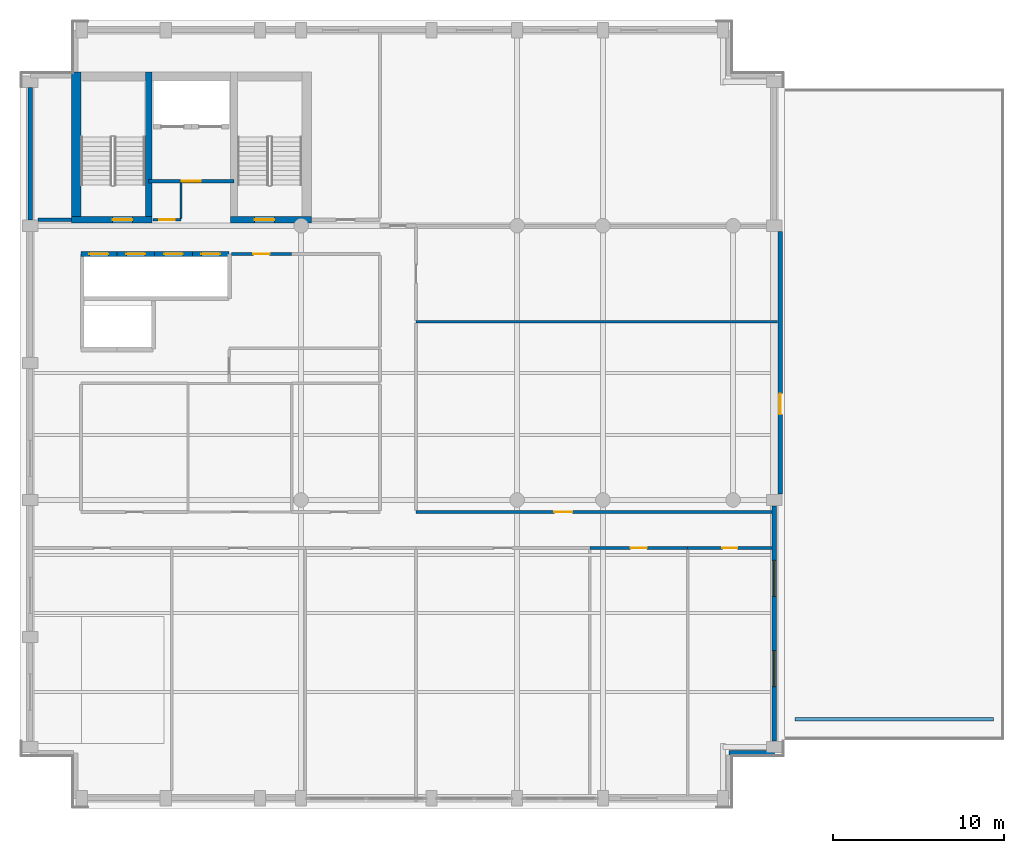
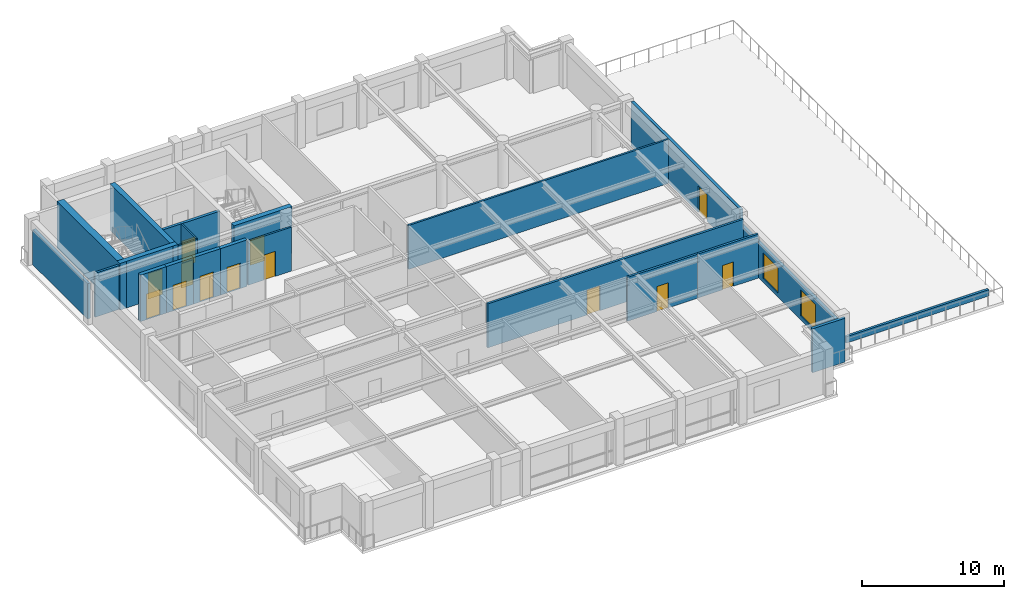
# One storey, part 5 of 9: 22 walls, 13 doors, 2 windows, 15 openings.
"""IFC4 building model written with IfcOpenShell, lengths in metres."""

from ifc_helpers import new_model, si_unit, direction, frame, frame_2d, origin, place, context, subcontext, project, spatial, rectangle, extrude, material, layer, layer_set, type_object, element, fill, save


model = new_model("IFC4")

# Units and contexts
model_context = context("Model", 3, precision=1e-05, world=origin(), true_north=direction((0.0, 1.0)))
body_context = subcontext(model_context, "Body", "Model", "MODEL_VIEW")
ifc_project = project(units=[si_unit("LENGTHUNIT", "METRE"), si_unit("AREAUNIT", "SQUARE_METRE"), si_unit("VOLUMEUNIT", "CUBIC_METRE"), si_unit("PLANEANGLEUNIT", "RADIAN"), si_unit("MASSUNIT", "GRAM", prefix="KILO")], contexts=[model_context])

# Site, building, storey
site_placement = place(None, origin())
site = spatial("IfcSite", under=ifc_project, at=site_placement, CompositionType="ELEMENT")
building_placement = place(site_placement, origin())
building = spatial("IfcBuilding", under=site, at=building_placement, Name="Sulina Concourse Tower", CompositionType="ELEMENT")
storey_placement = place(building_placement, frame((0.0, 0.0, 289.0)))
storey = spatial("IfcBuildingStorey", under=building, at=storey_placement, Name="L70", CompositionType="ELEMENT", Elevation=289.0)

# Wall, opening, door
ifc_material_1 = material(Name="Concrete C50/60", Category="concrete")
ifc_layer_1 = layer(ifc_material_1, 0.300048828125)
ifc_layer_set_1 = layer_set([ifc_layer_1], Name="Concrete C50/60")
wall_type_1 = type_object("IfcWallType", Name="Core Lift Hoistway Wall 300mm", PredefinedType="SOLIDWALL", material=ifc_layer_set_1)
wall_1_placement = place(storey_placement, frame((3.550048828125, 32.35009765625, 0.0), z_axis=(0.0, 0.0, 1.0), x_axis=(1.0, 0.0, 0.0)))
wall_1 = element("IfcWall", 1, at=wall_1_placement, inside=storey, type_object=wall_type_1, Name="L70 hoistway enclosure wall LP-09", PredefinedType="SOLIDWALL", context=body_context, shape_type="SweptSolid", body=[
    extrude(rectangle(XDim=2.099853515625, YDim=0.300048828125, at=frame_2d((1.0498046875, 0.0))), origin(), (0.0, 0.0, 1.0), 4.0),
])
opening_1_placement = place(wall_1_placement, frame((0.5, 0.0, 0.0)))
opening_1 = element("IfcOpeningElement", 2, at=opening_1_placement, cuts=wall_1, Name="Opening LD-01", PredefinedType="OPENING", context=body_context, shape_type="SweptSolid", body=[
    extrude(rectangle(XDim=1.10009765625, YDim=2.199951171875, at=frame_2d((0.550048828125, 1.10009765625))), frame((0.0, 0.159912109375, 0.0), z_axis=(0.0, -1.0, 0.0), x_axis=(1.0, 0.0, 0.0)), (0.0, 0.0, 1.0), 0.320068359375),
])
ifc_material_2 = material(Name="Stainless steel lift landing door", Category="steel")
ifc_layer_2 = layer(ifc_material_2, 0.050048828125)
ifc_layer_set_2 = layer_set([ifc_layer_2], Name="Stainless steel lift landing door")
door_type_1 = type_object("IfcDoorType", Name="Passenger Lift Sliding Landing Door 1100x2200", OperationType="SLIDING_TO_LEFT", PredefinedType="DOOR", material=ifc_layer_set_2)
door_1_placement = place(opening_1_placement, origin())
door_1 = element("IfcDoor", 3, at=door_1_placement, inside=storey, type_object=door_type_1, Name="L70 lift landing sliding door LP-09", OperationType="SLIDING_TO_LEFT", OverallHeight=2.199951171875, OverallWidth=1.10009765625, PredefinedType="DOOR", context=body_context, shape_type="SweptSolid", body=[
    extrude(rectangle(XDim=1.10009765625, YDim=2.199951171875, at=frame_2d((0.550048828125, 1.10009765625))), frame((0.0, 0.02490234375, 0.0), z_axis=(0.0, -1.0, 0.0), x_axis=(1.0, 0.0, 0.0)), (0.0, 0.0, 1.0), 0.050048828125),
])
fill(opening_1, door_1)

wall_2_placement = place(storey_placement, frame((5.64990234375, 32.35009765625, 0.0), z_axis=(0.0, 0.0, 1.0), x_axis=(1.0, 0.0, 0.0)))
wall_2 = element("IfcWall", 4, at=wall_2_placement, inside=storey, type_object=wall_type_1, Name="L70 hoistway enclosure wall LP-10", PredefinedType="SOLIDWALL", context=body_context, shape_type="SweptSolid", body=[
    extrude(rectangle(XDim=2.2001953125, YDim=0.300048828125, at=frame_2d((1.10009765625, 0.0))), origin(), (0.0, 0.0, 1.0), 4.0),
])
opening_2_placement = place(wall_2_placement, frame((0.550048828125, 0.0, 0.0)))
opening_2 = element("IfcOpeningElement", 5, at=opening_2_placement, cuts=wall_2, Name="Opening LD-01", PredefinedType="OPENING", context=body_context, shape_type="SweptSolid", body=[
    extrude(rectangle(XDim=1.10009765625, YDim=2.199951171875, at=frame_2d((0.550048828125, 1.10009765625))), frame((0.0, 0.159912109375, 0.0), z_axis=(0.0, -1.0, 0.0), x_axis=(1.0, 0.0, 0.0)), (0.0, 0.0, 1.0), 0.320068359375),
])
door_2_placement = place(opening_2_placement, origin())
door_2 = element("IfcDoor", 6, at=door_2_placement, inside=storey, type_object=door_type_1, Name="L70 lift landing sliding door LP-10", OperationType="SLIDING_TO_RIGHT", OverallHeight=2.199951171875, OverallWidth=1.10009765625, PredefinedType="DOOR", context=body_context, shape_type="SweptSolid", body=[
    extrude(rectangle(XDim=1.10009765625, YDim=2.199951171875, at=frame_2d((0.550048828125, 1.10009765625))), frame((0.0, 0.02490234375, 0.0), z_axis=(0.0, -1.0, 0.0), x_axis=(1.0, 0.0, 0.0)), (0.0, 0.0, 1.0), 0.050048828125),
])
fill(opening_2, door_2)

wall_3_placement = place(storey_placement, frame((7.85009765625, 32.35009765625, 0.0), z_axis=(0.0, 0.0, 1.0), x_axis=(1.0, 0.0, 0.0)))
wall_3 = element("IfcWall", 7, at=wall_3_placement, inside=storey, type_object=wall_type_1, Name="L70 hoistway enclosure wall LP-11", PredefinedType="SOLIDWALL", context=body_context, shape_type="SweptSolid", body=[
    extrude(rectangle(XDim=2.199951171875, YDim=0.300048828125, at=frame_2d((1.10009765625, 0.0))), origin(), (0.0, 0.0, 1.0), 4.0),
])
opening_3_placement = place(wall_3_placement, frame((0.550048828125, 0.0, 0.0)))
opening_3 = element("IfcOpeningElement", 8, at=opening_3_placement, cuts=wall_3, Name="Opening LD-01", PredefinedType="OPENING", context=body_context, shape_type="SweptSolid", body=[
    extrude(rectangle(XDim=1.10009765625, YDim=2.199951171875, at=frame_2d((0.550048828125, 1.10009765625))), frame((0.0, 0.159912109375, 0.0), z_axis=(0.0, -1.0, 0.0), x_axis=(1.0, 0.0, 0.0)), (0.0, 0.0, 1.0), 0.320068359375),
])
door_3_placement = place(opening_3_placement, origin())
door_3 = element("IfcDoor", 9, at=door_3_placement, inside=storey, type_object=door_type_1, Name="L70 lift landing sliding door LP-11", OperationType="SLIDING_TO_LEFT", OverallHeight=2.199951171875, OverallWidth=1.10009765625, PredefinedType="DOOR", context=body_context, shape_type="SweptSolid", body=[
    extrude(rectangle(XDim=1.10009765625, YDim=2.199951171875, at=frame_2d((0.550048828125, 1.10009765625))), frame((0.0, 0.02490234375, 0.0), z_axis=(0.0, -1.0, 0.0), x_axis=(1.0, 0.0, 0.0)), (0.0, 0.0, 1.0), 0.050048828125),
])
fill(opening_3, door_3)

wall_4_placement = place(storey_placement, frame((10.050048828125, 32.35009765625, 0.0), z_axis=(0.0, 0.0, 1.0), x_axis=(1.0, 0.0, 0.0)))
wall_4 = element("IfcWall", 10, at=wall_4_placement, inside=storey, type_object=wall_type_1, Name="L70 hoistway enclosure wall LP-12", PredefinedType="SOLIDWALL", context=body_context, shape_type="SweptSolid", body=[
    extrude(rectangle(XDim=2.14990234375, YDim=0.300048828125, at=frame_2d((1.074951171875, 0.0))), origin(), (0.0, 0.0, 1.0), 4.0),
])
opening_4_placement = place(wall_4_placement, frame((0.52490234375, 0.0, 0.0)))
opening_4 = element("IfcOpeningElement", 11, at=opening_4_placement, cuts=wall_4, Name="Opening LD-01", PredefinedType="OPENING", context=body_context, shape_type="SweptSolid", body=[
    extrude(rectangle(XDim=1.10009765625, YDim=2.199951171875, at=frame_2d((0.550048828125, 1.10009765625))), frame((0.0, 0.159912109375, 0.0), z_axis=(0.0, -1.0, 0.0), x_axis=(1.0, 0.0, 0.0)), (0.0, 0.0, 1.0), 0.320068359375),
])
door_4_placement = place(opening_4_placement, origin())
door_4 = element("IfcDoor", 12, at=door_4_placement, inside=storey, type_object=door_type_1, Name="L70 lift landing sliding door LP-12", OperationType="SLIDING_TO_RIGHT", OverallHeight=2.199951171875, OverallWidth=1.10009765625, PredefinedType="DOOR", context=body_context, shape_type="SweptSolid", body=[
    extrude(rectangle(XDim=1.10009765625, YDim=2.199951171875, at=frame_2d((0.550048828125, 1.10009765625))), frame((0.0, 0.02490234375, 0.0), z_axis=(0.0, -1.0, 0.0), x_axis=(1.0, 0.0, 0.0)), (0.0, 0.0, 1.0), 0.050048828125),
])
fill(opening_4, door_4)

# Wall
ifc_material_3 = material(Name="Precast concrete C50/60", Category="concrete")
ifc_layer_3 = layer(ifc_material_3, 0.239990234375)
ifc_layer_set_3 = layer_set([ifc_layer_3], Name="Precast concrete C50/60")
wall_type_2 = type_object("IfcWallType", Name="Crown Precast Masonry-Frame Facade Wall 240mm", PredefinedType="SOLIDWALL", material=ifc_layer_set_3)
wall_5_placement = place(storey_placement, frame((0.60009765625, 34.344970703125, 0.0), z_axis=(0.0, 0.0, 1.0), x_axis=(0.0, 1.0, 0.0)))
element("IfcWall", 13, at=wall_5_placement, inside=storey, type_object=wall_type_2, Name="L70 exterior precast wall W5", PredefinedType="SOLIDWALL", context=body_context, shape_type="SweptSolid", body=[
    extrude(rectangle(XDim=7.7099609375, YDim=0.239990234375, at=frame_2d((3.85498046875, 0.0))), origin(), (0.0, 0.0, 1.0), 3.02490234375),
])

# Wall, openings, windows
wall_6_placement = place(storey_placement, frame((44.0, 17.655029296875, 0.0), z_axis=(0.0, 0.0, 1.0), x_axis=(0.0, -1.0, 0.0)))
wall_6 = element("IfcWall", 14, at=wall_6_placement, inside=storey, type_object=wall_type_2, Name="L70 exterior precast wall E1", PredefinedType="SOLIDWALL", context=body_context, shape_type="SweptSolid", body=[
    extrude(rectangle(XDim=13.7099609375, YDim=0.239990234375, at=frame_2d((6.85498046875, 0.0))), origin(), (0.0, 0.0, 1.0), 3.02490234375),
])
opening_5_placement = place(wall_6_placement, frame((3.169921875, 0.0, 0.35009765625)))
opening_5 = element("IfcOpeningElement", 15, at=opening_5_placement, cuts=wall_6, Name="Opening WN-33", PredefinedType="OPENING", context=body_context, shape_type="SweptSolid", body=[
    extrude(rectangle(XDim=2.10009765625, YDim=2.199951171875, at=frame_2d((1.050048828125, 1.10009765625))), frame((0.0, 0.1298828125, 0.0), z_axis=(0.0, -1.0, 0.0), x_axis=(1.0, 0.0, 0.0)), (0.0, 0.0, 1.0), 0.260009765625),
])
opening_6_placement = place(wall_6_placement, frame((8.43994140625, 0.0, 0.35009765625)))
opening_6 = element("IfcOpeningElement", 16, at=opening_6_placement, cuts=wall_6, Name="Opening WN-33", PredefinedType="OPENING", context=body_context, shape_type="SweptSolid", body=[
    extrude(rectangle(XDim=2.10009765625, YDim=2.199951171875, at=frame_2d((1.050048828125, 1.10009765625))), frame((0.0, 0.1298828125, 0.0), z_axis=(0.0, -1.0, 0.0), x_axis=(1.0, 0.0, 0.0)), (0.0, 0.0, 1.0), 0.260009765625),
])
ifc_material_4 = material(Name="Low-E solar double glazing in bronze aluminium", Category="aluminium")
window_type = type_object("IfcWindowType", Name="Punched Masonry-Frame Window 2100x2200", PartitioningType="DOUBLE_PANEL_VERTICAL", PredefinedType="WINDOW", material=ifc_material_4)
window_1_placement = place(opening_5_placement, origin())
window_1 = element("IfcWindow", 17, at=window_1_placement, inside=storey, type_object=window_type, Name="L70 punched window E1-1", OverallHeight=2.199951171875, OverallWidth=2.10009765625, PartitioningType="SINGLE_PANEL", PredefinedType="WINDOW", context=body_context, shape_type="SweptSolid", body=[
    extrude(rectangle(XDim=2.10009765625, YDim=2.199951171875, at=frame_2d((1.050048828125, 1.10009765625))), frame((0.0, 0.030029296875, 0.0), z_axis=(0.0, -1.0, 0.0), x_axis=(1.0, 0.0, 0.0)), (0.0, 0.0, 1.0), 0.06005859375),
])
fill(opening_5, window_1)
window_2_placement = place(opening_6_placement, origin())
window_2 = element("IfcWindow", 18, at=window_2_placement, inside=storey, type_object=window_type, Name="L70 punched window E1-2", OverallHeight=2.199951171875, OverallWidth=2.10009765625, PartitioningType="SINGLE_PANEL", PredefinedType="WINDOW", context=body_context, shape_type="SweptSolid", body=[
    extrude(rectangle(XDim=2.10009765625, YDim=2.199951171875, at=frame_2d((1.050048828125, 1.10009765625))), frame((0.0, 0.030029296875, 0.0), z_axis=(0.0, -1.0, 0.0), x_axis=(1.0, 0.0, 0.0)), (0.0, 0.0, 1.0), 0.06005859375),
])
fill(opening_6, window_2)

# Wall, opening, door
wall_7_placement = place(storey_placement, frame((44.35009765625, 33.655029296875, 0.0), z_axis=(0.0, 0.0, 1.0), x_axis=(0.0, -1.0, 0.0)))
wall_7 = element("IfcWall", 19, at=wall_7_placement, inside=storey, type_object=wall_type_2, Name="L70 exterior precast wall E2", PredefinedType="SOLIDWALL", context=body_context, shape_type="SweptSolid", body=[
    extrude(rectangle(XDim=15.31005859375, YDim=0.239990234375, at=frame_2d((7.655029296875, 0.0))), origin(), (0.0, 0.0, 1.0), 3.77490234375),
])
opening_7_placement = place(wall_7_placement, frame((9.455078125, 0.0, 0.0)))
opening_7 = element("IfcOpeningElement", 20, at=opening_7_placement, cuts=wall_7, Name="Opening DR-22", PredefinedType="OPENING", context=body_context, shape_type="SweptSolid", body=[
    extrude(rectangle(XDim=1.199951171875, YDim=2.25, at=frame_2d((0.60009765625, 1.125))), frame((0.0, 0.1298828125, 0.0), z_axis=(0.0, -1.0, 0.0), x_axis=(1.0, 0.0, 0.0)), (0.0, 0.0, 1.0), 0.260009765625),
])
ifc_material_5 = material(Name="Anodised bronze aluminium and glazed leaf", Category="aluminium")
ifc_layer_4 = layer(ifc_material_5, 0.054931640625)
ifc_layer_set_4 = layer_set([ifc_layer_4], Name="Anodised bronze aluminium and glazed leaf")
door_type_2 = type_object("IfcDoorType", Name="Planted Terrace & Sky-Deck Door 1200x2250", OperationType="NOTDEFINED", PredefinedType="DOOR", material=ifc_layer_set_4)
door_5_placement = place(opening_7_placement, origin())
door_5 = element("IfcDoor", 21, at=door_5_placement, inside=storey, type_object=door_type_2, Name="L70 exterior door TD-CR", OperationType="SINGLE_SWING_LEFT", OverallHeight=2.25, OverallWidth=1.199951171875, PredefinedType="DOOR", context=body_context, shape_type="SweptSolid", body=[
    extrude(rectangle(XDim=1.199951171875, YDim=2.25, at=frame_2d((0.60009765625, 1.125))), frame((0.0, 0.02490234375, 0.0), z_axis=(0.0, -1.0, 0.0), x_axis=(1.0, 0.0, 0.0)), (0.0, 0.0, 1.0), 0.050048828125),
])
fill(opening_7, door_5)

# Wall
wall_8_placement = place(storey_placement, frame((44.0, 3.2548828125, 0.0), z_axis=(0.0, 0.0, 1.0), x_axis=(-1.0, 0.0, 0.0)))
element("IfcWall", 22, at=wall_8_placement, inside=storey, type_object=wall_type_2, Name="L70 exterior precast wall CSE1", PredefinedType="SOLIDWALL", context=body_context, shape_type="SweptSolid", body=[
    extrude(rectangle(XDim=2.655029296875, YDim=0.239990234375, at=frame_2d((1.32763671875, 0.0))), origin(), (0.0, 0.0, 1.0), 3.77490234375),
])

# Wall, opening, door
ifc_material_6 = material(Name="Gypsum board on steel stud", Category="steel")
ifc_layer_5 = layer(ifc_material_6, 0.219970703125)
ifc_layer_set_5 = layer_set([ifc_layer_5], Name="Gypsum board on steel stud")
wall_type_3 = type_object("IfcWallType", Name="Fire-Rated Lobby & Compartment Wall 220mm", PredefinedType="PARTITIONING", material=ifc_layer_set_5)
wall_9_placement = place(storey_placement, frame((7.510009765625, 36.60009765625, 0.0), z_axis=(0.0, 0.0, 1.0), x_axis=(1.0, 0.0, 0.0)))
wall_9 = element("IfcWall", 23, at=wall_9_placement, inside=storey, type_object=wall_type_3, Name="L70 firefighting lobby south fire wall", PredefinedType="PARTITIONING", context=body_context, shape_type="SweptSolid", body=[
    extrude(rectangle(XDim=4.97998046875, YDim=0.219970703125, at=frame_2d((2.489990234375, 0.0))), origin(), (0.0, 0.0, 1.0), 3.77490234375),
])
opening_8_placement = place(wall_9_placement, frame((1.93994140625, 0.0, 0.0)))
opening_8 = element("IfcOpeningElement", 24, at=opening_8_placement, cuts=wall_9, Name="Opening DR-47", PredefinedType="OPENING", context=body_context, shape_type="SweptSolid", body=[
    extrude(rectangle(XDim=1.10009765625, YDim=2.199951171875, at=frame_2d((0.550048828125, 1.10009765625))), frame((0.0, 0.119873046875, 0.0), z_axis=(0.0, -1.0, 0.0), x_axis=(1.0, 0.0, 0.0)), (0.0, 0.0, 1.0), 0.239990234375),
])
ifc_material_7 = material(Name="Galvanised steel acoustic fire leaf", Category="steel")
ifc_layer_6 = layer(ifc_material_7, 0.054931640625)
ifc_layer_set_6 = layer_set([ifc_layer_6], Name="Galvanised steel acoustic fire leaf")
door_type_3 = type_object("IfcDoorType", Name="Firefighting Lobby Fire Door 1100x2200", OperationType="NOTDEFINED", PredefinedType="DOOR", material=ifc_layer_set_6)
door_6_placement = place(opening_8_placement, origin())
door_6 = element("IfcDoor", 25, at=door_6_placement, inside=storey, type_object=door_type_3, Name="L70 firefighting lobby fire door", OperationType="SINGLE_SWING_LEFT", OverallHeight=2.199951171875, OverallWidth=1.10009765625, PredefinedType="DOOR", context=body_context, shape_type="SweptSolid", body=[
    extrude(rectangle(XDim=1.10009765625, YDim=2.199951171875, at=frame_2d((0.550048828125, 1.10009765625))), frame((0.0, 0.02490234375, 0.0), z_axis=(0.0, -1.0, 0.0), x_axis=(1.0, 0.0, 0.0)), (0.0, 0.0, 1.0), 0.050048828125),
])
fill(opening_8, door_6)

# Wall
ifc_material_8 = material(Name="Gypsum board on steel stud", Category="steel")
ifc_layer_7 = layer(ifc_material_8, 0.14990234375)
ifc_layer_set_7 = layer_set([ifc_layer_7], Name="Gypsum board on steel stud")
wall_type_4 = type_object("IfcWallType", Name="Inter-Tenancy Acoustic Partition 150mm", PredefinedType="PARTITIONING", material=ifc_layer_set_7)
wall_10_placement = place(storey_placement, frame((23.10009765625, 28.39990234375, 0.0), z_axis=(0.0, 0.0, 1.0), x_axis=(1.0, 0.0, 0.0)))
element("IfcWall", 26, at=wall_10_placement, inside=storey, type_object=wall_type_4, Name="L70 interior partition 016", PredefinedType="PARTITIONING", context=body_context, shape_type="SweptSolid", body=[
    extrude(rectangle(XDim=21.099853515625, YDim=0.14990234375, at=frame_2d((10.5498046875, 0.0))), origin(), (0.0, 0.0, 1.0), 3.77490234375),
])

# Wall, opening, door
wall_11_placement = place(storey_placement, frame((12.330078125, 32.35009765625, 0.0), z_axis=(0.0, 0.0, 1.0), x_axis=(1.0, 0.0, 0.0)))
wall_11 = element("IfcWall", 27, at=wall_11_placement, inside=storey, type_object=wall_type_4, Name="L70 interior partition 017", PredefinedType="PARTITIONING", context=body_context, shape_type="SweptSolid", body=[
    extrude(rectangle(XDim=3.52001953125, YDim=0.14990234375, at=frame_2d((1.760009765625, 0.0))), origin(), (0.0, 0.0, 1.0), 3.77490234375),
])
opening_9_placement = place(wall_11_placement, frame((1.284912109375, 0.0, 0.0)))
opening_9 = element("IfcOpeningElement", 28, at=opening_9_placement, cuts=wall_11, Name="Opening DR-19", PredefinedType="OPENING", context=body_context, shape_type="SweptSolid", body=[
    extrude(rectangle(XDim=0.949951171875, YDim=2.14990234375, at=frame_2d((0.47509765625, 1.074951171875))), frame((0.0, 0.0849609375, 0.0), z_axis=(0.0, -1.0, 0.0), x_axis=(1.0, 0.0, 0.0)), (0.0, 0.0, 1.0), 0.169921875),
])
ifc_material_9 = material(Name="Oak-veneered acoustic timber leaf", Category="wood")
ifc_layer_8 = layer(ifc_material_9, 0.050048828125)
ifc_layer_set_8 = layer_set([ifc_layer_8], Name="Oak-veneered acoustic timber leaf")
door_type_4 = type_object("IfcDoorType", Name="Cellular Office & Meeting Door 950x2150", OperationType="NOTDEFINED", PredefinedType="DOOR", material=ifc_layer_set_8)
door_7_placement = place(opening_9_placement, origin())
door_7 = element("IfcDoor", 29, at=door_7_placement, inside=storey, type_object=door_type_4, Name="L70 interior door L70-MR-MRG2", OperationType="SINGLE_SWING_RIGHT", OverallHeight=2.14990234375, OverallWidth=0.949951171875, PredefinedType="DOOR", context=body_context, shape_type="SweptSolid", body=[
    extrude(rectangle(XDim=0.949951171875, YDim=2.14990234375, at=frame_2d((0.47509765625, 1.074951171875))), frame((0.0, 0.02490234375, 0.0), z_axis=(0.0, -1.0, 0.0), x_axis=(1.0, 0.0, 0.0)), (0.0, 0.0, 1.0), 0.050048828125),
])
fill(opening_9, door_7)

# Wall
ifc_material_10 = material(Name="Precast concrete C50/60", Category="concrete")
ifc_layer_9 = layer(ifc_material_10, 0.199951171875)
ifc_layer_set_9 = layer_set([ifc_layer_9], Name="Precast concrete C50/60")
wall_type_5 = type_object("IfcWallType", Name="Landscaped Terrace Planter Wall 200mm", PredefinedType="USERDEFINED", material=ifc_layer_set_9)
wall_12_placement = place(storey_placement, frame((45.199951171875, 5.199951171875, 0.0), z_axis=(0.0, 0.0, 1.0), x_axis=(1.0, 0.0, 0.0)))
element("IfcWall", 30, at=wall_12_placement, inside=storey, type_object=wall_type_5, Name="L70 landscaped terrace planter wall TER-CR1", ObjectType="PLANTER", PredefinedType="USERDEFINED", context=body_context, shape_type="SweptSolid", body=[
    extrude(rectangle(XDim=11.60009765625, YDim=0.199951171875, at=frame_2d((5.800048828125, 0.0))), origin(), (0.0, 0.0, 1.0), 0.550048828125),
])

# Wall, opening, door
ifc_material_11 = material(Name="Gypsum board on steel stud", Category="steel")
ifc_layer_10 = layer(ifc_material_11, 0.179931640625)
ifc_layer_set_10 = layer_set([ifc_layer_10], Name="Gypsum board on steel stud")
wall_type_6 = type_object("IfcWallType", Name="Protected Corridor & Riser Partition 180mm", PredefinedType="PARTITIONING", material=ifc_layer_set_10)
wall_13_placement = place(storey_placement, frame((33.239990234375, 15.199951171875, 0.0), z_axis=(0.0, 0.0, 1.0), x_axis=(1.0, 0.0, 0.0)))
wall_13 = element("IfcWall", 31, at=wall_13_placement, inside=storey, type_object=wall_type_6, Name="L70 interior partition 005", PredefinedType="PARTITIONING", context=body_context, shape_type="SweptSolid", body=[
    extrude(rectangle(XDim=5.699951171875, YDim=0.179931640625, at=frame_2d((2.85009765625, 0.0))), origin(), (0.0, 0.0, 1.0), 3.77490234375),
])
opening_10_placement = place(wall_13_placement, frame((2.375, 0.0, 0.0)))
opening_10 = element("IfcOpeningElement", 32, at=opening_10_placement, cuts=wall_13, Name="Opening DR-19", PredefinedType="OPENING", context=body_context, shape_type="SweptSolid", body=[
    extrude(rectangle(XDim=0.949951171875, YDim=2.14990234375, at=frame_2d((0.47509765625, 1.074951171875))), frame((0.0, 0.099853515625, 0.0), z_axis=(0.0, -1.0, 0.0), x_axis=(1.0, 0.0, 0.0)), (0.0, 0.0, 1.0), 0.199951171875),
])
door_8_placement = place(opening_10_placement, origin())
door_8 = element("IfcDoor", 33, at=door_8_placement, inside=storey, type_object=door_type_4, Name="L70 interior door L70-S04A", OperationType="SINGLE_SWING_RIGHT", OverallHeight=2.14990234375, OverallWidth=0.949951171875, PredefinedType="DOOR", context=body_context, shape_type="SweptSolid", body=[
    extrude(rectangle(XDim=0.949951171875, YDim=2.14990234375, at=frame_2d((0.47509765625, 1.074951171875))), frame((0.0, 0.02490234375, 0.0), z_axis=(0.0, -1.0, 0.0), x_axis=(1.0, 0.0, 0.0)), (0.0, 0.0, 1.0), 0.050048828125),
])
fill(opening_10, door_8)

wall_14_placement = place(storey_placement, frame((38.93994140625, 15.199951171875, 0.0), z_axis=(0.0, 0.0, 1.0), x_axis=(1.0, 0.0, 0.0)))
wall_14 = element("IfcWall", 34, at=wall_14_placement, inside=storey, type_object=wall_type_6, Name="L70 interior partition 006", PredefinedType="PARTITIONING", context=body_context, shape_type="SweptSolid", body=[
    extrude(rectangle(XDim=4.93994140625, YDim=0.179931640625, at=frame_2d((2.469970703125, 0.0))), origin(), (0.0, 0.0, 1.0), 3.77490234375),
])
opening_11_placement = place(wall_14_placement, frame((2.030029296875, 0.0, 0.0)))
opening_11 = element("IfcOpeningElement", 35, at=opening_11_placement, cuts=wall_14, Name="Opening DR-38", PredefinedType="OPENING", context=body_context, shape_type="SweptSolid", body=[
    extrude(rectangle(XDim=0.8798828125, YDim=2.10009765625, at=frame_2d((0.43994140625, 1.050048828125))), frame((0.0, 0.099853515625, 0.0), z_axis=(0.0, -1.0, 0.0), x_axis=(1.0, 0.0, 0.0)), (0.0, 0.0, 1.0), 0.199951171875),
])
ifc_material_12 = material(Name="Galvanised steel acoustic fire leaf", Category="steel")
ifc_layer_11 = layer(ifc_material_12, 0.050048828125)
ifc_layer_set_11 = layer_set([ifc_layer_11], Name="Galvanised steel acoustic fire leaf")
door_type_5 = type_object("IfcDoorType", Name="Service Riser Fire Door 880x2100", OperationType="NOTDEFINED", PredefinedType="DOOR", material=ifc_layer_set_11)
door_9_placement = place(opening_11_placement, origin())
door_9 = element("IfcDoor", 36, at=door_9_placement, inside=storey, type_object=door_type_5, Name="L70 interior door L70-S04B", OperationType="SINGLE_SWING_LEFT", OverallHeight=2.10009765625, OverallWidth=0.8798828125, PredefinedType="DOOR", context=body_context, shape_type="SweptSolid", body=[
    extrude(rectangle(XDim=0.8798828125, YDim=2.10009765625, at=frame_2d((0.43994140625, 1.050048828125))), frame((0.0, 0.02490234375, 0.0), z_axis=(0.0, -1.0, 0.0), x_axis=(1.0, 0.0, 0.0)), (0.0, 0.0, 1.0), 0.050048828125),
])
fill(opening_11, door_9)

wall_15_placement = place(storey_placement, frame((23.10009765625, 17.300048828125, 0.0), z_axis=(0.0, 0.0, 1.0), x_axis=(1.0, 0.0, 0.0)))
wall_15 = element("IfcWall", 37, at=wall_15_placement, inside=storey, type_object=wall_type_6, Name="L70 interior partition 010", PredefinedType="PARTITIONING", context=body_context, shape_type="SweptSolid", body=[
    extrude(rectangle(XDim=20.77978515625, YDim=0.179931640625, at=frame_2d((10.389892578125, 0.0))), origin(), (0.0, 0.0, 1.0), 3.77490234375),
])
opening_12_placement = place(wall_15_placement, frame((8.06494140625, 0.0, 0.0)))
opening_12 = element("IfcOpeningElement", 38, at=opening_12_placement, cuts=wall_15, Name="Opening DR-37", PredefinedType="OPENING", context=body_context, shape_type="SweptSolid", body=[
    extrude(rectangle(XDim=1.050048828125, YDim=2.14990234375, at=frame_2d((0.52490234375, 1.074951171875))), frame((0.0, 0.099853515625, 0.0), z_axis=(0.0, -1.0, 0.0), x_axis=(1.0, 0.0, 0.0)), (0.0, 0.0, 1.0), 0.199951171875),
])
ifc_material_13 = material(Name="Oak-veneered fire door leaf")
ifc_layer_12 = layer(ifc_material_13, 0.050048828125)
ifc_layer_set_12 = layer_set([ifc_layer_12], Name="Oak-veneered fire door leaf")
door_type_6 = type_object("IfcDoorType", Name="Tenant Suite Entrance Fire Door 1050x2150", OperationType="NOTDEFINED", PredefinedType="DOOR", material=ifc_layer_set_12)
door_10_placement = place(opening_12_placement, origin())
door_10 = element("IfcDoor", 39, at=door_10_placement, inside=storey, type_object=door_type_6, Name="L70 interior door L70-CR-E1", OperationType="SINGLE_SWING_LEFT", OverallHeight=2.14990234375, OverallWidth=1.050048828125, PredefinedType="DOOR", context=body_context, shape_type="SweptSolid", body=[
    extrude(rectangle(XDim=1.050048828125, YDim=2.14990234375, at=frame_2d((0.52490234375, 1.074951171875))), frame((0.0, 0.02490234375, 0.0), z_axis=(0.0, -1.0, 0.0), x_axis=(1.0, 0.0, 0.0)), (0.0, 0.0, 1.0), 0.050048828125),
])
fill(opening_12, door_10)

# Wall
wall_16_placement = place(storey_placement, frame((1.050048828125, 34.35009765625, 0.0), z_axis=(0.0, 0.0, 1.0), x_axis=(1.0, 0.0, 0.0)))
element("IfcWall", 40, at=wall_16_placement, inside=storey, type_object=wall_type_6, Name="L70 interior partition 024", PredefinedType="PARTITIONING", context=body_context, shape_type="SweptSolid", body=[
    extrude(rectangle(XDim=1.949951171875, YDim=0.179931640625, at=frame_2d((0.97509765625, 0.0))), origin(), (0.0, 0.0, 1.0), 3.77490234375),
])

# Wall, opening, door
ifc_material_14 = material(Name="Concrete C60/75", Category="concrete")
ifc_layer_13 = layer(ifc_material_14, 0.39990234375)
ifc_layer_set_13 = layer_set([ifc_layer_13], Name="Concrete C60/75")
wall_type_7 = type_object("IfcWallType", Name="Protected Stair Core Shear Wall 400mm", PredefinedType="SHEAR", material=ifc_layer_set_13)
wall_17_placement = place(storey_placement, frame((3.0, 34.35009765625, 0.0), z_axis=(0.0, 0.0, 1.0), x_axis=(1.0, 0.0, 0.0)))
wall_17 = element("IfcWall", 41, at=wall_17_placement, inside=storey, type_object=wall_type_7, Name="L70 west core shear wall CW-WS1", PredefinedType="SHEAR", context=body_context, shape_type="SweptSolid", body=[
    extrude(rectangle(XDim=4.7099609375, YDim=0.39990234375, at=frame_2d((2.35498046875, 0.0))), origin(), (0.0, 0.0, 1.0), 4.0),
])
opening_13_placement = place(wall_17_placement, frame((2.39990234375, 0.0, 0.0)))
opening_13 = element("IfcOpeningElement", 42, at=opening_13_placement, cuts=wall_17, Name="Opening DR-60", PredefinedType="OPENING", context=body_context, shape_type="SweptSolid", body=[
    extrude(rectangle(XDim=1.14990234375, YDim=2.199951171875, at=frame_2d((0.574951171875, 1.10009765625))), frame((0.0, 0.2099609375, 0.0), z_axis=(0.0, -1.0, 0.0), x_axis=(1.0, 0.0, 0.0)), (0.0, 0.0, 1.0), 0.419921875),
])
ifc_material_15 = material(Name="Galvanised steel acoustic fire leaf", Category="steel")
ifc_layer_14 = layer(ifc_material_15, 0.054931640625)
ifc_layer_set_14 = layer_set([ifc_layer_14], Name="Galvanised steel acoustic fire leaf")
door_type_7 = type_object("IfcDoorType", Name="Protected Exit Stair Fire Door 1150x2200", OperationType="NOTDEFINED", PredefinedType="DOOR", material=ifc_layer_set_14)
door_11_placement = place(opening_13_placement, origin())
door_11 = element("IfcDoor", 43, at=door_11_placement, inside=storey, type_object=door_type_7, Name="L70 stair ST-1 lobby fire door", OperationType="SINGLE_SWING_LEFT", OverallHeight=2.199951171875, OverallWidth=1.14990234375, PredefinedType="DOOR", context=body_context, shape_type="SweptSolid", body=[
    extrude(rectangle(XDim=1.14990234375, YDim=2.199951171875, at=frame_2d((0.574951171875, 1.10009765625))), frame((0.0, 0.02490234375, 0.0), z_axis=(0.0, -1.0, 0.0), x_axis=(1.0, 0.0, 0.0)), (0.0, 0.0, 1.0), 0.050048828125),
])
fill(opening_13, door_11)

wall_18_placement = place(storey_placement, frame((12.2900390625, 34.35009765625, 0.0), z_axis=(0.0, 0.0, 1.0), x_axis=(1.0, 0.0, 0.0)))
wall_18 = element("IfcWall", 44, at=wall_18_placement, inside=storey, type_object=wall_type_7, Name="L70 west core shear wall CW-WS2", PredefinedType="SHEAR", context=body_context, shape_type="SweptSolid", body=[
    extrude(rectangle(XDim=4.7099609375, YDim=0.39990234375, at=frame_2d((2.35498046875, 0.0))), origin(), (0.0, 0.0, 1.0), 4.0),
])
opening_14_placement = place(wall_18_placement, frame((1.39990234375, 0.0, 0.0)))
opening_14 = element("IfcOpeningElement", 45, at=opening_14_placement, cuts=wall_18, Name="Opening DR-60", PredefinedType="OPENING", context=body_context, shape_type="SweptSolid", body=[
    extrude(rectangle(XDim=1.14990234375, YDim=2.199951171875, at=frame_2d((0.574951171875, 1.10009765625))), frame((0.0, 0.2099609375, 0.0), z_axis=(0.0, -1.0, 0.0), x_axis=(1.0, 0.0, 0.0)), (0.0, 0.0, 1.0), 0.419921875),
])
door_12_placement = place(opening_14_placement, origin())
door_12 = element("IfcDoor", 46, at=door_12_placement, inside=storey, type_object=door_type_7, Name="L70 stair ST-2 lobby fire door", OperationType="SINGLE_SWING_RIGHT", OverallHeight=2.199951171875, OverallWidth=1.14990234375, PredefinedType="DOOR", context=body_context, shape_type="SweptSolid", body=[
    extrude(rectangle(XDim=1.14990234375, YDim=2.199951171875, at=frame_2d((0.574951171875, 1.10009765625))), frame((0.0, 0.02490234375, 0.0), z_axis=(0.0, -1.0, 0.0), x_axis=(1.0, 0.0, 0.0)), (0.0, 0.0, 1.0), 0.050048828125),
])
fill(opening_14, door_12)

# Walls
wall_19_placement = place(storey_placement, frame((7.510009765625, 34.14990234375, 0.0), z_axis=(0.0, 0.0, 1.0), x_axis=(0.0, 1.0, 0.0)))
element("IfcWall", 47, at=wall_19_placement, inside=storey, type_object=wall_type_7, Name="L70 west core shear wall SW-ST1", PredefinedType="SHEAR", context=body_context, shape_type="SweptSolid", body=[
    extrude(rectangle(XDim=8.830078125, YDim=0.39990234375, at=frame_2d((4.4150390625, 0.0))), origin(), (0.0, 0.0, 1.0), 4.0),
])
ifc_material_16 = material(Name="Concrete C50/60", Category="concrete")
ifc_layer_15 = layer(ifc_material_16, 0.550048828125)
ifc_layer_set_15 = layer_set([ifc_layer_15], Name="Concrete C50/60")
wall_type_8 = type_object("IfcWallType", Name="Upper Core Shear Wall 550mm", PredefinedType="SHEAR", material=ifc_layer_set_15)
wall_20_placement = place(storey_placement, frame((3.27490234375, 34.14990234375, 0.0), z_axis=(0.0, 0.0, 1.0), x_axis=(0.0, 1.0, 0.0)))
element("IfcWall", 48, at=wall_20_placement, inside=storey, type_object=wall_type_8, Name="L70 west core shear wall CW-WW", PredefinedType="SHEAR", context=body_context, shape_type="SweptSolid", body=[
    extrude(rectangle(XDim=8.830078125, YDim=0.550048828125, at=frame_2d((4.4150390625, 0.0))), origin(), (0.0, 0.0, 1.0), 4.0),
])

# Wall, opening, door
ifc_material_17 = material(Name="Gypsum board on steel stud", Category="steel")
ifc_layer_16 = layer(ifc_material_17, 0.125)
ifc_layer_set_16 = layer_set([ifc_layer_16], Name="Gypsum board on steel stud")
wall_type_9 = type_object("IfcWallType", Name="Wet-Area Moisture-Resistant Partition 125mm", PredefinedType="PARTITIONING", material=ifc_layer_set_16)
wall_21_placement = place(storey_placement, frame((7.75, 34.35009765625, 0.0), z_axis=(0.0, 0.0, 1.0), x_axis=(1.0, 0.0, 0.0)))
wall_21 = element("IfcWall", 49, at=wall_21_placement, inside=storey, type_object=wall_type_9, Name="L70 interior partition 025", PredefinedType="PARTITIONING", context=body_context, shape_type="SweptSolid", body=[
    extrude(rectangle(XDim=1.64990234375, YDim=0.125, at=frame_2d((0.824951171875, 0.0))), origin(), (0.0, 0.0, 1.0), 3.77490234375),
])
opening_15_placement = place(wall_21_placement, frame((0.364990234375, 0.0, 0.0)))
opening_15 = element("IfcOpeningElement", 50, at=opening_15_placement, cuts=wall_21, Name="Opening DR-61", PredefinedType="OPENING", context=body_context, shape_type="SweptSolid", body=[
    extrude(rectangle(XDim=0.919921875, YDim=2.10009765625, at=frame_2d((0.4599609375, 1.050048828125))), frame((0.0, 0.072509765625, 0.0), z_axis=(0.0, -1.0, 0.0), x_axis=(1.0, 0.0, 0.0)), (0.0, 0.0, 1.0), 0.14501953125),
])
ifc_material_18 = material(Name="Oak-veneered fire door leaf")
ifc_layer_17 = layer(ifc_material_18, 0.050048828125)
ifc_layer_set_17 = layer_set([ifc_layer_17], Name="Oak-veneered fire door leaf")
door_type_8 = type_object("IfcDoorType", Name="Accessible WC Door 920x2100", OperationType="NOTDEFINED", PredefinedType="DOOR", material=ifc_layer_set_17)
door_13_placement = place(opening_15_placement, origin())
door_13 = element("IfcDoor", 51, at=door_13_placement, inside=storey, type_object=door_type_8, Name="L70 interior door L70-WC-ACC", OperationType="SINGLE_SWING_RIGHT", OverallHeight=2.10009765625, OverallWidth=0.919921875, PredefinedType="DOOR", context=body_context, shape_type="SweptSolid", body=[
    extrude(rectangle(XDim=0.919921875, YDim=2.10009765625, at=frame_2d((0.4599609375, 1.050048828125))), frame((0.0, 0.02490234375, 0.0), z_axis=(0.0, -1.0, 0.0), x_axis=(1.0, 0.0, 0.0)), (0.0, 0.0, 1.0), 0.050048828125),
])
fill(opening_15, door_13)

# Wall
wall_22_placement = place(storey_placement, frame((9.39990234375, 34.41259765625, 0.0), z_axis=(0.0, 0.0, 1.0), x_axis=(0.0, 1.0, 0.0)))
element("IfcWall", 52, at=wall_22_placement, inside=storey, type_object=wall_type_9, Name="L70 interior partition 029", PredefinedType="PARTITIONING", context=body_context, shape_type="SweptSolid", body=[
    extrude(rectangle(XDim=2.077392578125, YDim=0.125, at=frame_2d((1.03857421875, 0.0))), origin(), (0.0, 0.0, 1.0), 3.77490234375),
])

save(model, "model.ifc")
